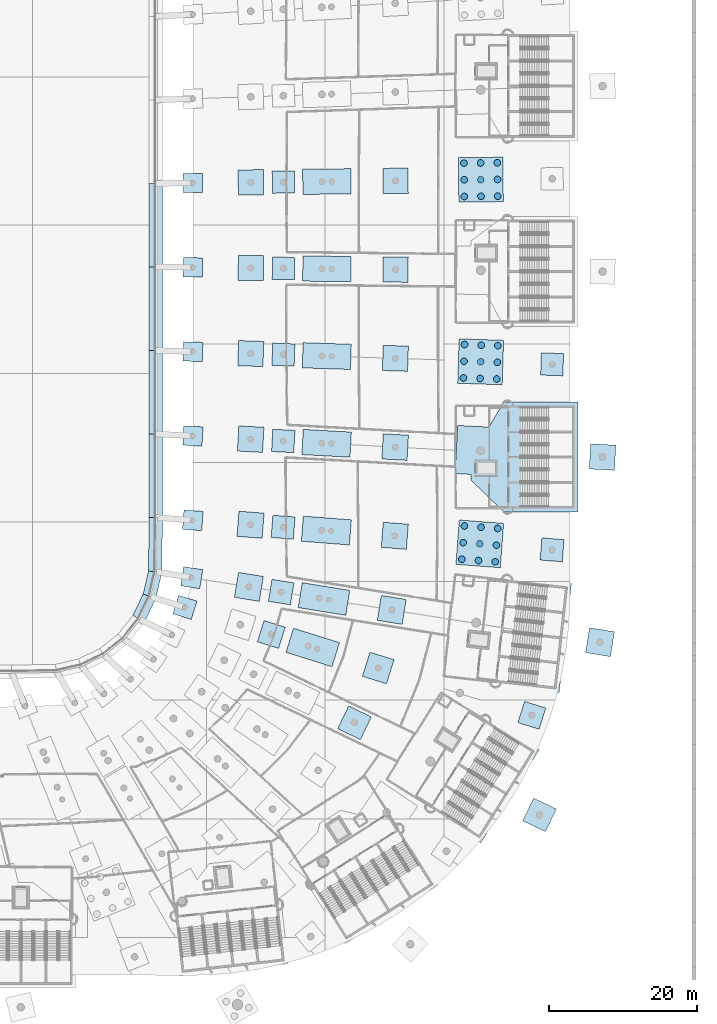
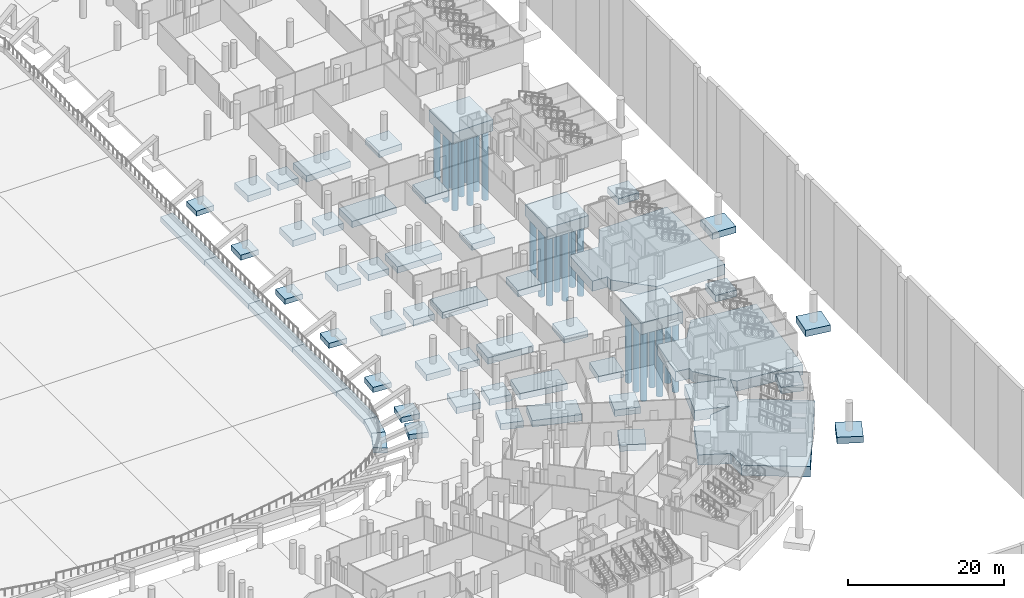
# One storey, part 4 of 142: 53 footings, 27 piles.
"""IFC4 building model written with IfcOpenShell, lengths in metres."""

import ifcopenshell
import ifcopenshell.guid

model = None  # the IFC model being written
_history = None  # IfcOwnerHistory: only IFC2X3 demands one
_inside = {}  # id of a spatial element -> (the spatial element, [elements in it])
_under = {}  # id of a project, library or spatial element -> (it, [spatial elements below it])
_declared = {}  # id of a project -> (the project, [libraries it declares])
_typed = {}  # id of a type object -> (the type object, [elements of that type])
_made_of = {}  # id of a material, layer set ... -> (it, [elements and type objects made of it])


def new_model(schema):
    """Start an empty IFC model of exactly this schema.

    Asked for "IFC4X3", IfcOpenShell would pick the latest addendum, in which some entities
    have other attributes; the version numbers below select the first issue.
    IFC2X3 requires an IfcOwnerHistory on every rooted entity: one is made here for all.
    """
    global model, _history
    if schema == "IFC4X3":
        model = ifcopenshell.file(schema_version=(4, 3, 0, 0))
    else:
        model = ifcopenshell.file(schema=schema)
    _inside.clear()
    _under.clear()
    _declared.clear()
    _typed.clear()
    _made_of.clear()
    _history = None
    if model.schema == "IFC2X3":
        org = make("IfcOrganization", Name="unknown")
        user = make(
            "IfcPersonAndOrganization",
            ThePerson=make("IfcPerson", FamilyName="unknown"),
            TheOrganization=org,
        )
        app = make(
            "IfcApplication",
            ApplicationDeveloper=org,
            Version="unknown",
            ApplicationFullName="unknown",
            ApplicationIdentifier="unknown",
        )
        _history = make(
            "IfcOwnerHistory",
            OwningUser=user,
            OwningApplication=app,
            ChangeAction="ADDED",
            CreationDate=0,
        )
    return model


def make(cls, **values):
    """One entity of the class cls with the attributes given. An attribute that is None is left unset."""
    return model.create_entity(
        cls, **{name: value for name, value in values.items() if value is not None}
    )


def rooted(cls, **values):
    """An entity with a GlobalId (a new one), such as an element, a storey or a relation."""
    return make(cls, GlobalId=ifcopenshell.guid.new(), OwnerHistory=_history, **values)


def si_unit(unit_type, name, prefix=None):
    """IfcSIUnit, for example si_unit("LENGTHUNIT", "METRE", prefix="MILLI")."""
    return make("IfcSIUnit", UnitType=unit_type, Prefix=prefix, Name=name)


def assignment(units):
    """IfcUnitAssignment: the units of a project."""
    return None if units is None else make("IfcUnitAssignment", Units=units)


def point(xyz):
    """IfcCartesianPoint."""
    return None if xyz is None else make("IfcCartesianPoint", Coordinates=xyz)


def direction(xyz):
    """IfcDirection."""
    return None if xyz is None else make("IfcDirection", DirectionRatios=xyz)


def frame(location, z_axis=None, x_axis=None):
    """IfcAxis2Placement3D, a coordinate frame: its origin and axes. An axis left out is left unset."""
    return make(
        "IfcAxis2Placement3D",
        Location=point(location),
        Axis=direction(z_axis),
        RefDirection=direction(x_axis),
    )


def frame_2d(location, x_axis=None):
    """IfcAxis2Placement2D, a coordinate frame in the plane: its origin and x axis."""
    return make(
        "IfcAxis2Placement2D", Location=point(location), RefDirection=direction(x_axis)
    )


def origin():
    """The frame at (0, 0, 0) with its axes left unset."""
    return frame((0.0, 0.0, 0.0))


def origin_2d():
    """The frame at (0, 0) in the plane with its x axis left unset."""
    return frame_2d((0.0, 0.0))


def place(relative_to, where):
    """IfcLocalPlacement: puts the frame where relative to a parent placement (None: the world)."""
    return make(
        "IfcLocalPlacement", PlacementRelTo=relative_to, RelativePlacement=where
    )


def context(
    kind, dimensions, precision=None, world=None, true_north=None, identifier=None
):
    """IfcGeometricRepresentationContext, for example the 3D "Model" context."""
    return make(
        "IfcGeometricRepresentationContext",
        ContextIdentifier=identifier,
        ContextType=kind,
        CoordinateSpaceDimension=dimensions,
        Precision=precision,
        WorldCoordinateSystem=world,
        TrueNorth=true_north,
    )


def subcontext(parent, identifier, kind, view, scale=None):
    """IfcGeometricRepresentationSubContext, for example "Body" below "Model"."""
    return make(
        "IfcGeometricRepresentationSubContext",
        ContextIdentifier=identifier,
        ContextType=kind,
        ParentContext=parent,
        TargetScale=scale,
        TargetView=view,
    )


def project(units=None, contexts=None):
    """IfcProject with its units and contexts."""
    return rooted(
        "IfcProject",
        Name="project",
        RepresentationContexts=contexts,
        UnitsInContext=assignment(units),
    )


def spatial(cls, under=None, at=None, **own):
    """A site, building, storey or space (cls), placed at a placement, below another one or the project."""
    s = rooted(cls, ObjectPlacement=at, **own)
    if under is not None:
        _under.setdefault(under.id(), (under, []))[1].append(s)
    return s


def polyline(points):
    """IfcPolyline through the points."""
    return make("IfcPolyline", Points=[point(p) for p in points])


def profile(cls, at=None, kind="AREA", **sizes):
    """A parametric profile (cls). Its sizes go by their IFC names, for example OverallWidth=200.0."""
    return make(cls, ProfileType=kind, Position=at, **sizes)


def circle(**sizes):
    """IfcCircleProfileDef."""
    return profile("IfcCircleProfileDef", **sizes)


def outline(outer, holes=None, kind="AREA"):
    """IfcArbitraryClosedProfileDef: a profile drawn as a closed curve; with holes, ...WithVoids."""
    if holes is None:
        return make("IfcArbitraryClosedProfileDef", ProfileType=kind, OuterCurve=outer)
    return make(
        "IfcArbitraryProfileDefWithVoids",
        ProfileType=kind,
        OuterCurve=outer,
        InnerCurves=holes,
    )


def extrude(swept, where, along, depth):
    """IfcExtrudedAreaSolid: the profile swept, set in the frame where, extruded along a direction by depth."""
    return make(
        "IfcExtrudedAreaSolid",
        SweptArea=swept,
        Position=where,
        ExtrudedDirection=direction(along),
        Depth=depth,
    )


def shape(context_of_items, identifier, shape_type, items):
    """IfcShapeRepresentation: the items that make up one representation, for example the "Body"."""
    return make(
        "IfcShapeRepresentation",
        ContextOfItems=context_of_items,
        RepresentationIdentifier=identifier,
        RepresentationType=shape_type,
        Items=items,
    )


def material(Name=None, Category=None):
    """IfcMaterial."""
    return make("IfcMaterial", Name=Name, Category=Category)


def material_profile(
    of_material, cross_section, Name=None, Category=None, Priority=None
):
    """IfcMaterialProfile: a cross section and its material."""
    return make(
        "IfcMaterialProfile",
        Name=Name,
        Material=of_material,
        Profile=cross_section,
        Priority=Priority,
        Category=Category,
    )


def profile_set(profiles, Name=None, composite=None):
    """IfcMaterialProfileSet."""
    return make(
        "IfcMaterialProfileSet",
        Name=Name,
        MaterialProfiles=profiles,
        CompositeProfile=composite,
    )


def made_of(thing, what):
    """Note that an element or type object is made of a material, layer set ...; save() writes the relation."""
    if what is not None:
        _made_of.setdefault(what.id(), (what, []))[1].append(thing)
    return thing


def type_object(cls, material=None, **own):
    """A type object (cls), such as IfcWallType, which elements share."""
    return made_of(rooted(cls, **own), material)


def element(
    cls,
    number,
    at=None,
    inside=None,
    cuts=None,
    type_object=None,
    material=None,
    context=None,
    identifier="Body",
    shape_type=None,
    held_by="IfcProductDefinitionShape",
    body=None,
    shapes=None,
    **own,
):
    """One element of the class cls, such as IfcWall. Its Tag is "e" and its number.

    at: its placement. inside: the storey or other place that contains it. cuts: it is an
    opening in that element (IfcRelVoidsElement). A single representation is given by context,
    identifier, shape_type and body (its items); several are given by shapes. held_by: the class
    of the entity that holds the representations. save() writes the other relations.
    """
    e = rooted(cls, Tag="e%d" % number, ObjectPlacement=at, **own)
    if body is not None:
        shapes = [shape(context, identifier, shape_type, body)]
    if shapes is not None:
        e.Representation = make(held_by, Representations=shapes)
    if inside is not None:
        _inside.setdefault(inside.id(), (inside, []))[1].append(e)
    if cuts is not None:
        rooted(
            "IfcRelVoidsElement", RelatingBuildingElement=cuts, RelatedOpeningElement=e
        )
    if type_object is not None:
        _typed.setdefault(type_object.id(), (type_object, []))[1].append(e)
    return made_of(e, material)


def aggregate(whole, parts):
    """IfcRelAggregates: a whole, such as a stair, and the parts it consists of."""
    return rooted("IfcRelAggregates", RelatingObject=whole, RelatedObjects=parts)


def save(model, path):
    """Write the relations noted so far, then the file.

    IfcRelAggregates (storeys below a building ...), IfcRelContainedInSpatialStructure (elements
    in a storey), IfcRelDefinesByType, IfcRelAssociatesMaterial and IfcRelDeclares: one each for
    every whole, place, type object, material and project.
    """
    for whole, parts in _under.values():
        aggregate(whole, parts)
    for where, things in _inside.values():
        rooted(
            "IfcRelContainedInSpatialStructure",
            RelatedElements=things,
            RelatingStructure=where,
        )
    for kind, things in _typed.values():
        rooted("IfcRelDefinesByType", RelatedObjects=things, RelatingType=kind)
    for what, things in _made_of.values():
        rooted("IfcRelAssociatesMaterial", RelatedObjects=things, RelatingMaterial=what)
    for by, libraries in _declared.values():
        rooted("IfcRelDeclares", RelatingContext=by, RelatedDefinitions=libraries)
    model.write(path)


model = new_model("IFC4")

# Units and contexts
model_context = context("Model", 3, precision=1e-05, world=origin(), true_north=direction((0.0, 1.0)))
body_context = subcontext(model_context, "Body", "Model", "MODEL_VIEW")
ifc_project = project(units=[si_unit("LENGTHUNIT", "METRE"), si_unit("AREAUNIT", "SQUARE_METRE"), si_unit("VOLUMEUNIT", "CUBIC_METRE"), si_unit("PLANEANGLEUNIT", "RADIAN"), si_unit("MASSUNIT", "GRAM", prefix="KILO")], contexts=[model_context])

# Site, building, storey
site_placement = place(None, origin())
site = spatial("IfcSite", under=ifc_project, at=site_placement, CompositionType="ELEMENT")
building_placement = place(site_placement, origin())
building = spatial("IfcBuilding", under=site, at=building_placement, Name="Meseta Stadium", CompositionType="ELEMENT")
storey_placement = place(building_placement, frame((0.0, 0.0, -4.0)))
storey = spatial("IfcBuildingStorey", under=building, at=storey_placement, Name="B1", CompositionType="ELEMENT", Elevation=-4.0)

# Piles
ifc_material_1 = material(Name="Concrete C30/37", Category="concrete")
ifc_material_profile = material_profile(ifc_material_1, circle(Radius=0.449951171875, at=origin_2d()), Name="D900")
ifc_profile_set = profile_set([ifc_material_profile], Name="Concrete C30/37")
pile_type = type_object("IfcPileType", Name="Bored pile D900 A", PredefinedType="BORED", material=ifc_profile_set)
for number, where, z_axis, x_axis, name in (
    (1, (82.4384765625, -45.019775390625, -2.10009765625), (0.0, 0.0, -1.0), (1.0, 0.0, 0.0), "Bored pile BP9A 01-P-01"),
    (2, (82.610595703125, -42.7763671875, -2.10009765625), (0.0, 0.0, -1.0), (1.0, 0.0, 0.0), "Bored pile BP9A 01-P-02"),
    (3, (82.78271484375, -40.532958984375, -2.10009765625), (0.0, 0.0, -1.0), (1.0, 0.0, 0.0), "Bored pile BP9A 01-P-03"),
    (4, (84.681884765625, -45.19189453125, -2.10009765625), (0.0, 0.0, -1.0), (1.0, 0.0, 0.0), "Bored pile BP9A 01-P-04"),
    (5, (84.85400390625, -42.948486328125, -2.10009765625), (0.0, 0.0, -1.0), (1.0, 0.0, 0.0), "Bored pile BP9A 01-P-05"),
    (6, (85.026123046875, -40.705078125, -2.10009765625), (0.0, 0.0, -1.0), (1.0, 0.0, 0.0), "Bored pile BP9A 01-P-06"),
    (7, (86.92529296875, -45.364013671875, -2.10009765625), (0.0, 0.0, -1.0), (1.0, 0.0, 0.0), "Bored pile BP9A 01-P-07"),
    (8, (87.097412109375, -43.12060546875, -2.10009765625), (0.0, 0.0, -1.0), (1.0, 0.0, 0.0), "Bored pile BP9A 01-P-08"),
    (9, (87.26953125, -40.877197265625, -2.10009765625), (0.0, 0.0, -1.0), (1.0, 0.0, 0.0), "Bored pile BP9A 01-P-09"),
    (10, (82.650390625, -20.585693359375, -2.10009765625), (0.0, 0.0, -1.0), (1.0, 0.0, 0.0), "Bored pile BP9A 03-P-01"),
    (11, (82.724365234375, -18.3369140625, -2.10009765625), (0.0, 0.0, -1.0), (1.0, 0.0, 0.0), "Bored pile BP9A 03-P-02"),
    (12, (82.798095703125, -16.087890625, -2.10009765625), (0.0, 0.0, -1.0), (1.0, 0.0, 0.0), "Bored pile BP9A 03-P-03"),
    (13, (84.899169921875, -20.659423828125, -2.10009765625), (0.0, 0.0, -1.0), (1.0, 0.0, 0.0), "Bored pile BP9A 03-P-04"),
    (14, (84.97314453125, -18.41064453125, -2.10009765625), (0.0, 0.0, -1.0), (1.0, 0.0, 0.0), "Bored pile BP9A 03-P-05"),
    (15, (85.047119140625, -16.161865234375, -2.10009765625), (0.0, 0.0, -1.0), (1.0, 0.0, 0.0), "Bored pile BP9A 03-P-06"),
    (16, (87.14794921875, -20.7333984375, -2.10009765625), (0.0, 0.0, -1.0), (1.0, 0.0, 0.0), "Bored pile BP9A 03-P-07"),
    (17, (87.221923828125, -18.484619140625, -2.10009765625), (0.0, 0.0, -1.0), (1.0, 0.0, 0.0), "Bored pile BP9A 03-P-08"),
    (18, (87.2958984375, -16.23583984375, -2.10009765625), (0.0, 0.0, -1.0), (1.0, 0.0, 0.0), "Bored pile BP9A 03-P-09"),
    (19, (82.771728515625, 3.86279296875, -2.10009765625), (0.0, 0.0, -1.0), (1.0, 0.0, 0.0), "Bored pile BP9A 05-P-01"),
    (20, (82.7470703125, 6.112548828125, -2.10009765625), (0.0, 0.0, -1.0), (1.0, 0.0, 0.0), "Bored pile BP9A 05-P-02"),
    (21, (82.722412109375, 8.3623046875, -2.10009765625), (0.0, 0.0, -1.0), (1.0, 0.0, 0.0), "Bored pile BP9A 05-P-03"),
    (22, (85.021728515625, 3.88720703125, -2.10009765625), (0.0, 0.0, -1.0), (1.0, 0.0, 0.0), "Bored pile BP9A 05-P-04"),
    (23, (84.9970703125, 6.13720703125, -2.10009765625), (0.0, 0.0, -1.0), (1.0, 0.0, 0.0), "Bored pile BP9A 05-P-05"),
    (24, (84.972412109375, 8.38720703125, -2.10009765625), (0.0, 0.0, -1.0), (1.0, 0.0, 0.0), "Bored pile BP9A 05-P-06"),
    (25, (87.271484375, 3.912109375, -2.10009765625), (0.0, 0.0, -1.0), (1.0, 0.0, 0.0), "Bored pile BP9A 05-P-07"),
    (26, (87.246826171875, 6.161865234375, -2.10009765625), (0.0, 0.0, -1.0), (1.0, 0.0, 0.0), "Bored pile BP9A 05-P-08"),
    (27, (87.22216796875, 8.41162109375, -2.10009765625), (0.0, 0.0, -1.0), (1.0, 0.0, 0.0), "Bored pile BP9A 05-P-09"),
):
    element("IfcPile", number, at=place(storey_placement, frame(where, z_axis=z_axis, x_axis=x_axis)), inside=storey, type_object=pile_type, Name=name, PredefinedType="BORED", context=body_context, shape_type="SweptSolid", body=[
        extrude(circle(Radius=0.449951171875, at=origin_2d()), origin(), (0.0, 0.0, 1.0), 10.89990234375),
    ])

# Footings
ifc_material_2 = material(Name="Concrete C30/37", Category="concrete")
footing_type_1 = type_object("IfcFootingType", Name="Combined footing 6500x3400", PredefinedType="PAD_FOOTING", material=ifc_material_2)
footing_1_placement = place(storey_placement, frame((0.0, 0.0, -1.39990234375)))
element("IfcFooting", 28, at=footing_1_placement, inside=storey, type_object=footing_type_1, Name="Footing F65.34 00-CD", PredefinedType="PAD_FOOTING", context=body_context, shape_type="SweptSolid", body=[
    extrude(outline(polyline([(60.380859375, -51.5380859375), (66.798095703125, -52.571533203125), (67.3388671875, -49.21484375), (60.92138671875, -48.18115234375), (60.380859375, -51.5380859375)])), origin(), (0.0, 0.0, 1.0), 1.0),
])
footing_2_placement = place(storey_placement, frame((0.0, 0.0, -1.39990234375)))
element("IfcFooting", 29, at=footing_2_placement, inside=storey, type_object=footing_type_1, Name="Footing F65.34 01-CD", PredefinedType="PAD_FOOTING", context=body_context, shape_type="SweptSolid", body=[
    extrude(outline(polyline([(60.811279296875, -42.6005859375), (67.292236328125, -43.097900390625), (67.552490234375, -39.7080078125), (61.0712890625, -39.210693359375), (60.811279296875, -42.6005859375)])), origin(), (0.0, 0.0, 1.0), 1.0),
])
footing_3_placement = place(storey_placement, frame((0.0, 0.0, -1.39990234375)))
element("IfcFooting", 30, at=footing_3_placement, inside=storey, type_object=footing_type_1, Name="Footing F65.34 02-CD", PredefinedType="PAD_FOOTING", context=body_context, shape_type="SweptSolid", body=[
    extrude(outline(polyline([(60.876953125, -30.917236328125), (67.3671875, -31.273193359375), (67.55322265625, -27.878173828125), (61.06298828125, -27.5224609375), (60.876953125, -30.917236328125)])), origin(), (0.0, 0.0, 1.0), 1.0),
])
footing_4_placement = place(storey_placement, frame((0.0, 0.0, -1.39990234375)))
element("IfcFooting", 31, at=footing_4_placement, inside=storey, type_object=footing_type_1, Name="Footing F65.34 03-CD", PredefinedType="PAD_FOOTING", context=body_context, shape_type="SweptSolid", body=[
    extrude(outline(polyline([(60.933349609375, -19.231689453125), (67.4296875, -19.4453125), (67.54150390625, -16.047119140625), (61.045166015625, -15.83349609375), (60.933349609375, -19.231689453125)])), origin(), (0.0, 0.0, 1.0), 1.0),
])
footing_5_placement = place(storey_placement, frame((0.0, 0.0, -1.39990234375)))
element("IfcFooting", 32, at=footing_5_placement, inside=storey, type_object=footing_type_1, Name="Footing F65.34 04-CD", PredefinedType="PAD_FOOTING", context=body_context, shape_type="SweptSolid", body=[
    extrude(outline(polyline([(60.980224609375, -7.544189453125), (67.479736328125, -7.615478515625), (67.51708984375, -4.2158203125), (61.017333984375, -4.144287109375), (60.980224609375, -7.544189453125)])), origin(), (0.0, 0.0, 1.0), 1.0),
])
footing_6_placement = place(storey_placement, frame((0.0, 0.0, -1.39990234375)))
element("IfcFooting", 33, at=footing_6_placement, inside=storey, type_object=footing_type_1, Name="Footing F65.34 05-CD", PredefinedType="PAD_FOOTING", context=body_context, shape_type="SweptSolid", body=[
    extrude(outline(polyline([(61.017333984375, 4.144287109375), (67.51708984375, 4.2158203125), (67.479736328125, 7.615478515625), (60.980224609375, 7.544189453125), (61.017333984375, 4.144287109375)])), origin(), (0.0, 0.0, 1.0), 1.0),
])
footing_7_placement = place(storey_placement, frame((0.0, 0.0, -1.39990234375)))
element("IfcFooting", 34, at=footing_7_placement, inside=storey, type_object=footing_type_1, Name="Footing F65.34 55-CD", PredefinedType="PAD_FOOTING", context=body_context, shape_type="SweptSolid", body=[
    extrude(outline(polyline([(58.733642578125, -57.559814453125), (64.935791015625, -59.50439453125), (65.953125, -56.260009765625), (59.750732421875, -54.3154296875), (58.733642578125, -57.559814453125)])), origin(), (0.0, 0.0, 1.0), 1.0),
])
ifc_material_3 = material(Name="Concrete C30/37", Category="concrete")
footing_type_2 = type_object("IfcFootingType", Name="Pad footing 2600", PredefinedType="PAD_FOOTING", material=ifc_material_3)
footing_8_placement = place(storey_placement, frame((0.0, 0.0, -1.199951171875)))
element("IfcFooting", 35, at=footing_8_placement, inside=storey, type_object=footing_type_2, Name="Footing F26 00-A", PredefinedType="PAD_FOOTING", context=body_context, shape_type="SweptSolid", body=[
    extrude(outline(polyline([(44.54931640625, -48.5830078125), (47.1162109375, -48.99658203125), (47.52978515625, -46.429443359375), (44.962890625, -46.01611328125), (44.54931640625, -48.5830078125)])), origin(), (0.0, 0.0, 1.0), 0.800048828125),
])
footing_9_placement = place(storey_placement, frame((0.0, 0.0, -1.199951171875)))
element("IfcFooting", 36, at=footing_9_placement, inside=storey, type_object=footing_type_2, Name="Footing F26 01-A", PredefinedType="PAD_FOOTING", context=body_context, shape_type="SweptSolid", body=[
    extrude(outline(polyline([(44.7890625, -40.9697265625), (47.38134765625, -41.168701171875), (47.580322265625, -38.576416015625), (44.988037109375, -38.377197265625), (44.7890625, -40.9697265625)])), origin(), (0.0, 0.0, 1.0), 0.800048828125),
])
footing_10_placement = place(storey_placement, frame((0.0, 0.0, -1.199951171875)))
element("IfcFooting", 37, at=footing_10_placement, inside=storey, type_object=footing_type_2, Name="Footing F26 02-A", PredefinedType="PAD_FOOTING", context=body_context, shape_type="SweptSolid", body=[
    extrude(outline(polyline([(44.822998046875, -29.636474609375), (47.419189453125, -29.77880859375), (47.561279296875, -27.182861328125), (44.96533203125, -27.040283203125), (44.822998046875, -29.636474609375)])), origin(), (0.0, 0.0, 1.0), 0.800048828125),
])
footing_11_placement = place(storey_placement, frame((0.0, 0.0, -1.199951171875)))
element("IfcFooting", 38, at=footing_11_placement, inside=storey, type_object=footing_type_2, Name="Footing F26 03-A", PredefinedType="PAD_FOOTING", context=body_context, shape_type="SweptSolid", body=[
    extrude(outline(polyline([(44.855224609375, -18.302490234375), (47.45361328125, -18.387939453125), (47.539306640625, -15.789306640625), (44.940673828125, -15.703857421875), (44.855224609375, -18.302490234375)])), origin(), (0.0, 0.0, 1.0), 0.800048828125),
])
footing_12_placement = place(storey_placement, frame((0.0, 0.0, -1.199951171875)))
element("IfcFooting", 39, at=footing_12_placement, inside=storey, type_object=footing_type_2, Name="Footing F26 04-A", PredefinedType="PAD_FOOTING", context=body_context, shape_type="SweptSolid", body=[
    extrude(outline(polyline([(44.885498046875, -6.9677734375), (47.4853515625, -6.99609375), (47.513916015625, -4.396240234375), (44.9140625, -4.367919921875), (44.885498046875, -6.9677734375)])), origin(), (0.0, 0.0, 1.0), 0.800048828125),
])
footing_13_placement = place(storey_placement, frame((0.0, 0.0, -1.199951171875)))
element("IfcFooting", 40, at=footing_13_placement, inside=storey, type_object=footing_type_2, Name="Footing F26 05-A", PredefinedType="PAD_FOOTING", context=body_context, shape_type="SweptSolid", body=[
    extrude(outline(polyline([(44.9140625, 4.367919921875), (47.513916015625, 4.396240234375), (47.4853515625, 6.99609375), (44.885498046875, 6.9677734375), (44.9140625, 4.367919921875)])), origin(), (0.0, 0.0, 1.0), 0.800048828125),
])
footing_14_placement = place(storey_placement, frame((0.0, 0.0, -1.199951171875)))
element("IfcFooting", 41, at=footing_14_placement, inside=storey, type_object=footing_type_2, Name="Footing F26 55-A", PredefinedType="PAD_FOOTING", context=body_context, shape_type="SweptSolid", body=[
    extrude(outline(polyline([(43.49072265625, -52.361328125), (45.9716796875, -53.139404296875), (46.74951171875, -50.658203125), (44.2685546875, -49.880615234375), (43.49072265625, -52.361328125)])), origin(), (0.0, 0.0, 1.0), 0.800048828125),
])
ifc_material_4 = material(Name="Concrete C30/37", Category="concrete")
footing_type_3 = type_object("IfcFootingType", Name="Pad footing 3000", PredefinedType="PAD_FOOTING", material=ifc_material_4)
footing_15_placement = place(storey_placement, frame((0.0, 0.0, -1.39990234375)))
element("IfcFooting", 42, at=footing_15_placement, inside=storey, type_object=footing_type_3, Name="Footing F30 00-U", PredefinedType="PAD_FOOTING", context=body_context, shape_type="SweptSolid", body=[
    extrude(outline(polyline([(56.364990234375, -50.688720703125), (59.32666015625, -51.16552734375), (59.8037109375, -48.203857421875), (56.841796875, -47.726806640625), (56.364990234375, -50.688720703125)])), origin(), (0.0, 0.0, 1.0), 1.0),
])
footing_16_placement = place(storey_placement, frame((0.0, 0.0, -1.39990234375)))
element("IfcFooting", 43, at=footing_16_placement, inside=storey, type_object=footing_type_3, Name="Footing F30 01-R", PredefinedType="PAD_FOOTING", context=body_context, shape_type="SweptSolid", body=[
    extrude(outline(polyline([(92.989501953125, -45.130859375), (95.980712890625, -45.3603515625), (96.21044921875, -42.369140625), (93.21923828125, -42.1396484375), (92.989501953125, -45.130859375)])), origin(), (0.0, 0.0, 1.0), 1.0),
])
footing_17_placement = place(storey_placement, frame((0.0, 0.0, -1.39990234375)))
element("IfcFooting", 44, at=footing_17_placement, inside=storey, type_object=footing_type_3, Name="Footing F30 01-U", PredefinedType="PAD_FOOTING", context=body_context, shape_type="SweptSolid", body=[
    extrude(outline(polyline([(56.738525390625, -42.08740234375), (59.729736328125, -42.31689453125), (59.95947265625, -39.32568359375), (56.96826171875, -39.09619140625), (56.738525390625, -42.08740234375)])), origin(), (0.0, 0.0, 1.0), 1.0),
])
footing_18_placement = place(storey_placement, frame((0.0, 0.0, -1.39990234375)))
element("IfcFooting", 45, at=footing_18_placement, inside=storey, type_object=footing_type_3, Name="Footing F30 02-U", PredefinedType="PAD_FOOTING", context=body_context, shape_type="SweptSolid", body=[
    extrude(outline(polyline([(56.7939453125, -30.4931640625), (59.78955078125, -30.657470703125), (59.953857421875, -27.661865234375), (56.958251953125, -27.497802734375), (56.7939453125, -30.4931640625)])), origin(), (0.0, 0.0, 1.0), 1.0),
])
footing_19_placement = place(storey_placement, frame((0.0, 0.0, -1.39990234375)))
element("IfcFooting", 46, at=footing_19_placement, inside=storey, type_object=footing_type_3, Name="Footing F30 03-R", PredefinedType="PAD_FOOTING", context=body_context, shape_type="SweptSolid", body=[
    extrude(outline(polyline([(93.051513671875, -20.199951171875), (96.0498046875, -20.298583984375), (96.1484375, -17.300048828125), (93.150146484375, -17.201416015625), (93.051513671875, -20.199951171875)])), origin(), (0.0, 0.0, 1.0), 1.0),
])
footing_20_placement = place(storey_placement, frame((0.0, 0.0, -1.39990234375)))
element("IfcFooting", 47, at=footing_20_placement, inside=storey, type_object=footing_type_3, Name="Footing F30 03-U", PredefinedType="PAD_FOOTING", context=body_context, shape_type="SweptSolid", body=[
    extrude(outline(polyline([(56.842041015625, -18.89697265625), (59.840576171875, -18.99560546875), (59.939208984375, -15.997314453125), (56.940673828125, -15.898681640625), (56.842041015625, -18.89697265625)])), origin(), (0.0, 0.0, 1.0), 1.0),
])
footing_21_placement = place(storey_placement, frame((0.0, 0.0, -1.39990234375)))
element("IfcFooting", 48, at=footing_21_placement, inside=storey, type_object=footing_type_3, Name="Footing F30 04-U", PredefinedType="PAD_FOOTING", context=body_context, shape_type="SweptSolid", body=[
    extrude(outline(polyline([(56.882568359375, -7.29931640625), (59.88232421875, -7.33203125), (59.915283203125, -4.332275390625), (56.91552734375, -4.29931640625), (56.882568359375, -7.29931640625)])), origin(), (0.0, 0.0, 1.0), 1.0),
])
footing_22_placement = place(storey_placement, frame((0.0, 0.0, -1.39990234375)))
element("IfcFooting", 49, at=footing_22_placement, inside=storey, type_object=footing_type_3, Name="Footing F30 05-U", PredefinedType="PAD_FOOTING", context=body_context, shape_type="SweptSolid", body=[
    extrude(outline(polyline([(56.91552734375, 4.29931640625), (59.915283203125, 4.332275390625), (59.88232421875, 7.33203125), (56.882568359375, 7.29931640625), (56.91552734375, 4.29931640625)])), origin(), (0.0, 0.0, 1.0), 1.0),
])
footing_23_placement = place(storey_placement, frame((0.0, 0.0, -1.39990234375)))
element("IfcFooting", 50, at=footing_23_placement, inside=storey, type_object=footing_type_3, Name="Footing F30 55-R", PredefinedType="PAD_FOOTING", context=body_context, shape_type="SweptSolid", body=[
    extrude(outline(polyline([(89.99267578125, -67.0341796875), (92.855224609375, -67.931640625), (93.752685546875, -65.069091796875), (90.89013671875, -64.17138671875), (89.99267578125, -67.0341796875)])), origin(), (0.0, 0.0, 1.0), 1.0),
])
footing_24_placement = place(storey_placement, frame((0.0, 0.0, -1.39990234375)))
element("IfcFooting", 51, at=footing_24_placement, inside=storey, type_object=footing_type_3, Name="Footing F30 55-U", PredefinedType="PAD_FOOTING", context=body_context, shape_type="SweptSolid", body=[
    extrude(outline(polyline([(54.88134765625, -56.142333984375), (57.743896484375, -57.039794921875), (58.641357421875, -54.17724609375), (55.77880859375, -53.27978515625), (54.88134765625, -56.142333984375)])), origin(), (0.0, 0.0, 1.0), 1.0),
])
ifc_material_5 = material(Name="Concrete C30/37", Category="concrete")
footing_type_4 = type_object("IfcFootingType", Name="Pad footing 3400", PredefinedType="PAD_FOOTING", material=ifc_material_5)
footing_25_placement = place(storey_placement, frame((0.0, 0.0, -1.39990234375)))
element("IfcFooting", 52, at=footing_25_placement, inside=storey, type_object=footing_type_4, Name="Footing F34 00-B", PredefinedType="PAD_FOOTING", context=body_context, shape_type="SweptSolid", body=[
    extrude(outline(polyline([(51.79150390625, -50.154541015625), (55.1484375, -50.6953125), (55.68896484375, -47.33837890625), (52.332275390625, -46.7978515625), (51.79150390625, -50.154541015625)])), origin(), (0.0, 0.0, 1.0), 1.0),
])
footing_26_placement = place(storey_placement, frame((0.0, 0.0, -1.39990234375)))
element("IfcFooting", 53, at=footing_26_placement, inside=storey, type_object=footing_type_4, Name="Footing F34 00-E", PredefinedType="PAD_FOOTING", context=body_context, shape_type="SweptSolid", body=[
    extrude(outline(polyline([(71.04345703125, -53.255126953125), (74.400390625, -53.7958984375), (74.94091796875, -50.439208984375), (71.583984375, -49.8984375), (71.04345703125, -53.255126953125)])), origin(), (0.0, 0.0, 1.0), 1.0),
])
footing_27_placement = place(storey_placement, frame((0.0, 0.0, -1.39990234375)))
element("IfcFooting", 54, at=footing_27_placement, inside=storey, type_object=footing_type_4, Name="Footing F34 00-R", PredefinedType="PAD_FOOTING", context=body_context, shape_type="SweptSolid", body=[
    extrude(outline(polyline([(99.10302734375, -57.61083984375), (102.459716796875, -58.151611328125), (103.000244140625, -54.794921875), (99.6435546875, -54.254150390625), (99.10302734375, -57.61083984375)])), origin(), (0.0, 0.0, 1.0), 1.0),
])
footing_28_placement = place(storey_placement, frame((0.0, 0.0, -1.39990234375)))
element("IfcFooting", 55, at=footing_28_placement, inside=storey, type_object=footing_type_4, Name="Footing F34 01-B", PredefinedType="PAD_FOOTING", context=body_context, shape_type="SweptSolid", body=[
    extrude(outline(polyline([(52.13671875, -41.934814453125), (55.52685546875, -42.195068359375), (55.787109375, -38.804931640625), (52.39697265625, -38.544921875), (52.13671875, -41.934814453125)])), origin(), (0.0, 0.0, 1.0), 1.0),
])
footing_29_placement = place(storey_placement, frame((0.0, 0.0, -1.39990234375)))
element("IfcFooting", 56, at=footing_29_placement, inside=storey, type_object=footing_type_4, Name="Footing F34 01-E", PredefinedType="PAD_FOOTING", context=body_context, shape_type="SweptSolid", body=[
    extrude(outline(polyline([(71.57958984375, -43.427001953125), (74.969482421875, -43.687255859375), (75.229736328125, -40.29736328125), (71.83984375, -40.037109375), (71.57958984375, -43.427001953125)])), origin(), (0.0, 0.0, 1.0), 1.0),
])
footing_30_placement = place(storey_placement, frame((0.0, 0.0, -1.39990234375)))
element("IfcFooting", 57, at=footing_30_placement, inside=storey, type_object=footing_type_4, Name="Footing F34 02-B", PredefinedType="PAD_FOOTING", context=body_context, shape_type="SweptSolid", body=[
    extrude(outline(polyline([(52.18994140625, -30.44091796875), (55.5849609375, -30.627197265625), (55.77099609375, -27.232421875), (52.376220703125, -27.046142578125), (52.18994140625, -30.44091796875)])), origin(), (0.0, 0.0, 1.0), 1.0),
])
footing_31_placement = place(storey_placement, frame((0.0, 0.0, -1.39990234375)))
element("IfcFooting", 58, at=footing_31_placement, inside=storey, type_object=footing_type_4, Name="Footing F34 02-E", PredefinedType="PAD_FOOTING", context=body_context, shape_type="SweptSolid", body=[
    extrude(outline(polyline([(71.660888671875, -31.508544921875), (75.0556640625, -31.694580078125), (75.24169921875, -28.2998046875), (71.846923828125, -28.113525390625), (71.660888671875, -31.508544921875)])), origin(), (0.0, 0.0, 1.0), 1.0),
])
footing_32_placement = place(storey_placement, frame((0.0, 0.0, -1.39990234375)))
element("IfcFooting", 59, at=footing_32_placement, inside=storey, type_object=footing_type_4, Name="Footing F34 02-R", PredefinedType="PAD_FOOTING", context=body_context, shape_type="SweptSolid", body=[
    extrude(outline(polyline([(99.609619140625, -32.8544921875), (103.00439453125, -33.04052734375), (103.1904296875, -29.6455078125), (99.795654296875, -29.45947265625), (99.609619140625, -32.8544921875)])), origin(), (0.0, 0.0, 1.0), 1.0),
])
footing_33_placement = place(storey_placement, frame((0.0, 0.0, -1.39990234375)))
element("IfcFooting", 60, at=footing_33_placement, inside=storey, type_object=footing_type_4, Name="Footing F34 03-B", PredefinedType="PAD_FOOTING", context=body_context, shape_type="SweptSolid", body=[
    extrude(outline(polyline([(52.238037109375, -18.945556640625), (55.63623046875, -19.057373046875), (55.747802734375, -15.6591796875), (52.349853515625, -15.54736328125), (52.238037109375, -18.945556640625)])), origin(), (0.0, 0.0, 1.0), 1.0),
])
footing_34_placement = place(storey_placement, frame((0.0, 0.0, -1.39990234375)))
element("IfcFooting", 61, at=footing_34_placement, inside=storey, type_object=footing_type_4, Name="Footing F34 03-E", PredefinedType="PAD_FOOTING", context=body_context, shape_type="SweptSolid", body=[
    extrude(outline(polyline([(71.7275390625, -19.586669921875), (75.12548828125, -19.698486328125), (75.2373046875, -16.30029296875), (71.839111328125, -16.1884765625), (71.7275390625, -19.586669921875)])), origin(), (0.0, 0.0, 1.0), 1.0),
])
footing_35_placement = place(storey_placement, frame((0.0, 0.0, -1.39990234375)))
element("IfcFooting", 62, at=footing_35_placement, inside=storey, type_object=footing_type_4, Name="Footing F34 04-B", PredefinedType="PAD_FOOTING", context=body_context, shape_type="SweptSolid", body=[
    extrude(outline(polyline([(52.28076171875, -7.44873046875), (55.680419921875, -7.486083984375), (55.7177734375, -4.086181640625), (52.318115234375, -4.049072265625), (52.28076171875, -7.44873046875)])), origin(), (0.0, 0.0, 1.0), 1.0),
])
footing_36_placement = place(storey_placement, frame((0.0, 0.0, -1.39990234375)))
element("IfcFooting", 63, at=footing_36_placement, inside=storey, type_object=footing_type_4, Name="Footing F34 04-E", PredefinedType="PAD_FOOTING", context=body_context, shape_type="SweptSolid", body=[
    extrude(outline(polyline([(71.779541015625, -7.66259765625), (75.17919921875, -7.699951171875), (75.216552734375, -4.300048828125), (71.81689453125, -4.2626953125), (71.779541015625, -7.66259765625)])), origin(), (0.0, 0.0, 1.0), 1.0),
])
footing_37_placement = place(storey_placement, frame((0.0, 0.0, -1.39990234375)))
element("IfcFooting", 64, at=footing_37_placement, inside=storey, type_object=footing_type_4, Name="Footing F34 05-B", PredefinedType="PAD_FOOTING", context=body_context, shape_type="SweptSolid", body=[
    extrude(outline(polyline([(52.318115234375, 4.049072265625), (55.7177734375, 4.086181640625), (55.680419921875, 7.486083984375), (52.28076171875, 7.44873046875), (52.318115234375, 4.049072265625)])), origin(), (0.0, 0.0, 1.0), 1.0),
])
footing_38_placement = place(storey_placement, frame((0.0, 0.0, -1.39990234375)))
element("IfcFooting", 65, at=footing_38_placement, inside=storey, type_object=footing_type_4, Name="Footing F34 05-E", PredefinedType="PAD_FOOTING", context=body_context, shape_type="SweptSolid", body=[
    extrude(outline(polyline([(71.81689453125, 4.2626953125), (75.216552734375, 4.300048828125), (75.17919921875, 7.699951171875), (71.779541015625, 7.66259765625), (71.81689453125, 4.2626953125)])), origin(), (0.0, 0.0, 1.0), 1.0),
])
footing_39_placement = place(storey_placement, frame((0.0, 0.0, -1.39990234375)))
element("IfcFooting", 66, at=footing_39_placement, inside=storey, type_object=footing_type_4, Name="Footing F34 54-E", PredefinedType="PAD_FOOTING", context=body_context, shape_type="SweptSolid", body=[
    extrude(outline(polyline([(65.70361328125, -67.85302734375), (68.767578125, -69.32666015625), (70.2412109375, -66.2626953125), (67.17724609375, -64.7890625), (65.70361328125, -67.85302734375)])), origin(), (0.0, 0.0, 1.0), 1.0),
])
footing_40_placement = place(storey_placement, frame((0.0, 0.0, -1.39990234375)))
element("IfcFooting", 67, at=footing_40_placement, inside=storey, type_object=footing_type_4, Name="Footing F34 54-R", PredefinedType="PAD_FOOTING", context=body_context, shape_type="SweptSolid", body=[
    extrude(outline(polyline([(90.6396484375, -80.269775390625), (93.703857421875, -81.743408203125), (95.17724609375, -78.67919921875), (92.11328125, -77.205810546875), (90.6396484375, -80.269775390625)])), origin(), (0.0, 0.0, 1.0), 1.0),
])
footing_41_placement = place(storey_placement, frame((0.0, 0.0, -1.39990234375)))
element("IfcFooting", 68, at=footing_41_placement, inside=storey, type_object=footing_type_4, Name="Footing F34 55-E", PredefinedType="PAD_FOOTING", context=body_context, shape_type="SweptSolid", body=[
    extrude(outline(polyline([(69.0390625, -60.790771484375), (72.283203125, -61.80810546875), (73.300537109375, -58.563720703125), (70.05615234375, -57.54638671875), (69.0390625, -60.790771484375)])), origin(), (0.0, 0.0, 1.0), 1.0),
])
ifc_material_6 = material(Name="Concrete C30/37", Category="concrete")
footing_type_5 = type_object("IfcFootingType", Name="Pile cap 6000", PredefinedType="PILE_CAP", material=ifc_material_6)
footing_42_placement = place(storey_placement, frame((0.0, 0.0, -2.199951171875)))
element("IfcFooting", 69, at=footing_42_placement, inside=storey, type_object=footing_type_5, Name="Pile cap PC60 01-P", PredefinedType="PILE_CAP", context=body_context, shape_type="SweptSolid", body=[
    extrude(outline(polyline([(81.63330078125, -45.710205078125), (87.615478515625, -46.169189453125), (88.07470703125, -40.18701171875), (82.09228515625, -39.727783203125), (81.63330078125, -45.710205078125)])), origin(), (0.0, 0.0, 1.0), 1.800048828125),
])
footing_43_placement = place(storey_placement, frame((0.0, 0.0, -2.199951171875)))
element("IfcFooting", 70, at=footing_43_placement, inside=storey, type_object=footing_type_5, Name="Pile cap PC60 03-P", PredefinedType="PILE_CAP", context=body_context, shape_type="SweptSolid", body=[
    extrude(outline(polyline([(81.876220703125, -21.310546875), (87.872802734375, -21.5078125), (88.070068359375, -15.510986328125), (82.0732421875, -15.313720703125), (81.876220703125, -21.310546875)])), origin(), (0.0, 0.0, 1.0), 1.800048828125),
])
footing_44_placement = place(storey_placement, frame((0.0, 0.0, -2.199951171875)))
element("IfcFooting", 71, at=footing_44_placement, inside=storey, type_object=footing_type_5, Name="Pile cap PC60 05-P", PredefinedType="PILE_CAP", context=body_context, shape_type="SweptSolid", body=[
    extrude(outline(polyline([(82.030029296875, 3.1044921875), (88.02978515625, 3.17041015625), (87.9638671875, 9.169921875), (81.96435546875, 9.10400390625), (82.030029296875, 3.1044921875)])), origin(), (0.0, 0.0, 1.0), 1.800048828125),
])
ifc_material_7 = material(Name="Concrete C30/37", Category="concrete")
footing_type_6 = type_object("IfcFootingType", Name="Raft 16600x14800", PredefinedType="PAD_FOOTING", material=ifc_material_7)
footing_45_placement = place(storey_placement, frame((0.0, 0.0, -2.800048828125)))
element("IfcFooting", 72, at=footing_45_placement, inside=storey, type_object=footing_type_6, Name="Footing R166.148 02-CORE", PredefinedType="PAD_FOOTING", context=body_context, shape_type="SweptSolid", body=[
    extrude(outline(polyline([(88.10009765625, -38.64990234375), (98.10009765625, -38.64990234375), (98.10009765625, -23.85009765625), (88.10009765625, -23.85009765625), (86.060546875, -27.21044921875), (81.87353515625, -26.98095703125), (81.517578125, -33.47119140625), (83.699951171875, -33.5908203125), (83.699951171875, -34.39990234375), (88.10009765625, -38.64990234375)])), origin(), (0.0, 0.0, 1.0), 1.60009765625),
])
ifc_material_8 = material(Name="Concrete C30/37", Category="concrete")
footing_type_7 = type_object("IfcFootingType", Name="Raft 37000x17300", PredefinedType="PAD_FOOTING", material=ifc_material_8)
footing_46_placement = place(storey_placement, frame((0.0, 0.0, -2.800048828125)))
element("IfcFooting", 73, at=footing_46_placement, inside=storey, type_object=footing_type_7, Name="Footing R370.173 00-CORE", PredefinedType="PAD_FOOTING", context=body_context, shape_type="SweptSolid", body=[
    extrude(outline(polyline([(77.540771484375, -78.557861328125), (84.991943359375, -83.23974609375), (92.865966796875, -70.708251953125), (85.414794921875, -66.0263671875), (84.324951171875, -66.185302734375), (85.85009765625, -61.321533203125), (86.410400390625, -62.0), (95.552734375, -63.030029296875), (97.209716796875, -48.322998046875), (88.067626953125, -47.293212890625), (85.6103515625, -50.474365234375), (81.67138671875, -49.840087890625), (80.637939453125, -56.25732421875), (82.59423828125, -56.572509765625), (82.513916015625, -57.2841796875), (85.540283203125, -60.94677734375), (80.2041015625, -59.273681640625), (78.408935546875, -64.998779296875), (82.869873046875, -66.3974609375), (79.694091796875, -66.860595703125), (78.475830078125, -68.79931640625), (76.677490234375, -67.9345703125), (73.8603515625, -73.792236328125), (77.671630859375, -75.625244140625), (77.540771484375, -78.557861328125)])), origin(), (0.0, 0.0, 1.0), 1.60009765625),
])
ifc_material_9 = material(Name="Concrete C30/37", Category="concrete")
footing_type_8 = type_object("IfcFootingType", Name="Strip footing 1800", PredefinedType="STRIP_FOOTING", material=ifc_material_9)
footing_47_placement = place(storey_placement, frame((0.0, 0.0, -1.199951171875)))
element("IfcFooting", 74, at=footing_47_placement, inside=storey, type_object=footing_type_8, Name="Strip footing pitch wall bay 01", PredefinedType="STRIP_FOOTING", context=body_context, shape_type="SweptSolid", body=[
    extrude(outline(polyline([(42.001708984375, -46.818603515625), (42.099365234375, -39.396240234375), (40.29931640625, -39.384521484375), (40.20458984375, -46.60400390625), (42.001708984375, -46.818603515625)])), origin(), (0.0, 0.0, 1.0), 0.800048828125),
])
footing_48_placement = place(storey_placement, frame((0.0, 0.0, -1.199951171875)))
element("IfcFooting", 75, at=footing_48_placement, inside=storey, type_object=footing_type_8, Name="Strip footing pitch wall bay 02", PredefinedType="STRIP_FOOTING", context=body_context, shape_type="SweptSolid", body=[
    extrude(outline(polyline([(42.099365234375, -39.396240234375), (42.099609375, -28.135986328125), (40.2998046875, -28.135986328125), (40.29931640625, -39.384521484375), (42.099365234375, -39.396240234375)])), origin(), (0.0, 0.0, 1.0), 0.800048828125),
])
footing_49_placement = place(storey_placement, frame((0.0, 0.0, -1.199951171875)))
element("IfcFooting", 76, at=footing_49_placement, inside=storey, type_object=footing_type_8, Name="Strip footing pitch wall bay 03", PredefinedType="STRIP_FOOTING", context=body_context, shape_type="SweptSolid", body=[
    extrude(outline(polyline([(42.099609375, -28.135986328125), (42.099853515625, -16.881591796875), (40.2998046875, -16.881591796875), (40.2998046875, -28.135986328125), (42.099609375, -28.135986328125)])), origin(), (0.0, 0.0, 1.0), 0.800048828125),
])
footing_50_placement = place(storey_placement, frame((0.0, 0.0, -1.199951171875)))
element("IfcFooting", 77, at=footing_50_placement, inside=storey, type_object=footing_type_8, Name="Strip footing pitch wall bay 04", PredefinedType="STRIP_FOOTING", context=body_context, shape_type="SweptSolid", body=[
    extrude(outline(polyline([(42.099853515625, -16.881591796875), (42.10009765625, -5.627197265625), (40.300048828125, -5.627197265625), (40.2998046875, -16.881591796875), (42.099853515625, -16.881591796875)])), origin(), (0.0, 0.0, 1.0), 0.800048828125),
])
footing_51_placement = place(storey_placement, frame((0.0, 0.0, -1.199951171875)))
element("IfcFooting", 78, at=footing_51_placement, inside=storey, type_object=footing_type_8, Name="Strip footing pitch wall bay 05", PredefinedType="STRIP_FOOTING", context=body_context, shape_type="SweptSolid", body=[
    extrude(outline(polyline([(42.10009765625, -5.627197265625), (42.10009765625, 5.627197265625), (40.300048828125, 5.627197265625), (40.300048828125, -5.627197265625), (42.10009765625, -5.627197265625)])), origin(), (0.0, 0.0, 1.0), 0.800048828125),
])
footing_52_placement = place(storey_placement, frame((0.0, 0.0, -1.199951171875)))
element("IfcFooting", 79, at=footing_52_placement, inside=storey, type_object=footing_type_8, Name="Strip footing pitch wall bay 55", PredefinedType="STRIP_FOOTING", context=body_context, shape_type="SweptSolid", body=[
    extrude(outline(polyline([(39.6484375, -53.54833984375), (41.2041015625, -50.31298828125), (39.494140625, -49.715087890625), (38.11376953125, -52.586181640625), (39.6484375, -53.54833984375)])), origin(), (0.0, 0.0, 1.0), 0.800048828125),
])
footing_53_placement = place(storey_placement, frame((0.0, 0.0, -1.199951171875)))
element("IfcFooting", 80, at=footing_53_placement, inside=storey, type_object=footing_type_8, Name="Strip footing pitch wall bay 56", PredefinedType="STRIP_FOOTING", context=body_context, shape_type="SweptSolid", body=[
    extrude(outline(polyline([(41.2041015625, -50.31298828125), (42.001708984375, -46.818603515625), (40.20458984375, -46.60400390625), (39.494140625, -49.715087890625), (41.2041015625, -50.31298828125)])), origin(), (0.0, 0.0, 1.0), 0.800048828125),
])

save(model, "model.ifc")
